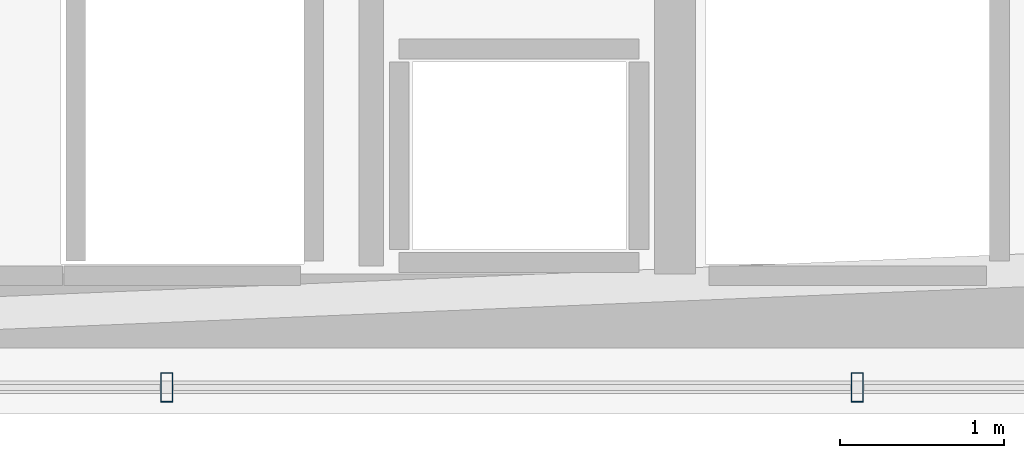
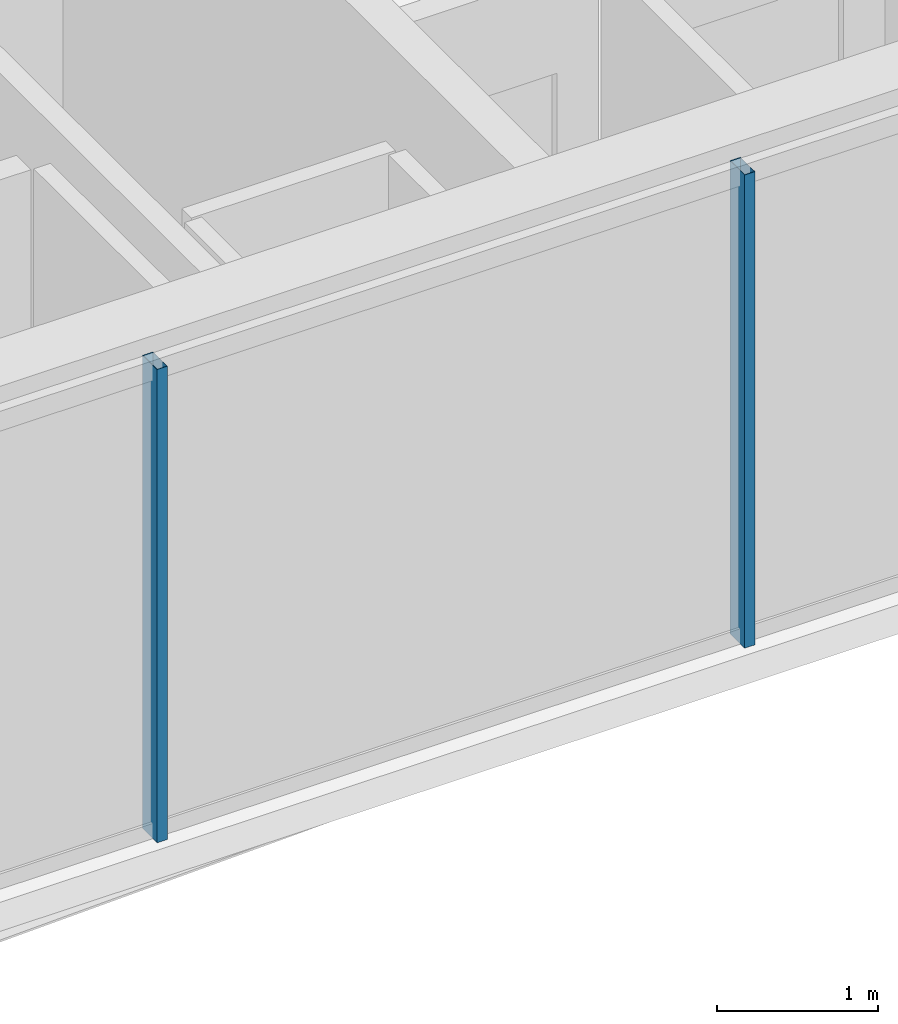
# One storey, part 9 of 31: 2 members, 1 element without a shape of its own.
"""IFC4 building model written with IfcOpenShell, lengths in metres."""

import ifcopenshell
import ifcopenshell.guid

model = None  # the IFC model being written
_history = None  # IfcOwnerHistory: only IFC2X3 demands one
_inside = {}  # id of a spatial element -> (the spatial element, [elements in it])
_under = {}  # id of a project, library or spatial element -> (it, [spatial elements below it])
_declared = {}  # id of a project -> (the project, [libraries it declares])
_typed = {}  # id of a type object -> (the type object, [elements of that type])
_made_of = {}  # id of a material, layer set ... -> (it, [elements and type objects made of it])


def new_model(schema):
    """Start an empty IFC model of exactly this schema.

    Asked for "IFC4X3", IfcOpenShell would pick the latest addendum, in which some entities
    have other attributes; the version numbers below select the first issue.
    IFC2X3 requires an IfcOwnerHistory on every rooted entity: one is made here for all.
    """
    global model, _history
    if schema == "IFC4X3":
        model = ifcopenshell.file(schema_version=(4, 3, 0, 0))
    else:
        model = ifcopenshell.file(schema=schema)
    _inside.clear()
    _under.clear()
    _declared.clear()
    _typed.clear()
    _made_of.clear()
    _history = None
    if model.schema == "IFC2X3":
        org = make("IfcOrganization", Name="unknown")
        user = make(
            "IfcPersonAndOrganization",
            ThePerson=make("IfcPerson", FamilyName="unknown"),
            TheOrganization=org,
        )
        app = make(
            "IfcApplication",
            ApplicationDeveloper=org,
            Version="unknown",
            ApplicationFullName="unknown",
            ApplicationIdentifier="unknown",
        )
        _history = make(
            "IfcOwnerHistory",
            OwningUser=user,
            OwningApplication=app,
            ChangeAction="ADDED",
            CreationDate=0,
        )
    return model


def make(cls, **values):
    """One entity of the class cls with the attributes given. An attribute that is None is left unset."""
    return model.create_entity(
        cls, **{name: value for name, value in values.items() if value is not None}
    )


def rooted(cls, **values):
    """An entity with a GlobalId (a new one), such as an element, a storey or a relation."""
    return make(cls, GlobalId=ifcopenshell.guid.new(), OwnerHistory=_history, **values)


def si_unit(unit_type, name, prefix=None):
    """IfcSIUnit, for example si_unit("LENGTHUNIT", "METRE", prefix="MILLI")."""
    return make("IfcSIUnit", UnitType=unit_type, Prefix=prefix, Name=name)


def assignment(units):
    """IfcUnitAssignment: the units of a project."""
    return None if units is None else make("IfcUnitAssignment", Units=units)


def point(xyz):
    """IfcCartesianPoint."""
    return None if xyz is None else make("IfcCartesianPoint", Coordinates=xyz)


def direction(xyz):
    """IfcDirection."""
    return None if xyz is None else make("IfcDirection", DirectionRatios=xyz)


def frame(location, z_axis=None, x_axis=None):
    """IfcAxis2Placement3D, a coordinate frame: its origin and axes. An axis left out is left unset."""
    return make(
        "IfcAxis2Placement3D",
        Location=point(location),
        Axis=direction(z_axis),
        RefDirection=direction(x_axis),
    )


def frame_2d(location, x_axis=None):
    """IfcAxis2Placement2D, a coordinate frame in the plane: its origin and x axis."""
    return make(
        "IfcAxis2Placement2D", Location=point(location), RefDirection=direction(x_axis)
    )


def origin():
    """The frame at (0, 0, 0) with its axes left unset."""
    return frame((0.0, 0.0, 0.0))


def origin_2d():
    """The frame at (0, 0) in the plane with its x axis left unset."""
    return frame_2d((0.0, 0.0))


def place(relative_to, where):
    """IfcLocalPlacement: puts the frame where relative to a parent placement (None: the world)."""
    return make(
        "IfcLocalPlacement", PlacementRelTo=relative_to, RelativePlacement=where
    )


def context(
    kind, dimensions, precision=None, world=None, true_north=None, identifier=None
):
    """IfcGeometricRepresentationContext, for example the 3D "Model" context."""
    return make(
        "IfcGeometricRepresentationContext",
        ContextIdentifier=identifier,
        ContextType=kind,
        CoordinateSpaceDimension=dimensions,
        Precision=precision,
        WorldCoordinateSystem=world,
        TrueNorth=true_north,
    )


def subcontext(parent, identifier, kind, view, scale=None):
    """IfcGeometricRepresentationSubContext, for example "Body" below "Model"."""
    return make(
        "IfcGeometricRepresentationSubContext",
        ContextIdentifier=identifier,
        ContextType=kind,
        ParentContext=parent,
        TargetScale=scale,
        TargetView=view,
    )


def project(units=None, contexts=None):
    """IfcProject with its units and contexts."""
    return rooted(
        "IfcProject",
        Name="project",
        RepresentationContexts=contexts,
        UnitsInContext=assignment(units),
    )


def spatial(cls, under=None, at=None, **own):
    """A site, building, storey or space (cls), placed at a placement, below another one or the project."""
    s = rooted(cls, ObjectPlacement=at, **own)
    if under is not None:
        _under.setdefault(under.id(), (under, []))[1].append(s)
    return s


def profile(cls, at=None, kind="AREA", **sizes):
    """A parametric profile (cls). Its sizes go by their IFC names, for example OverallWidth=200.0."""
    return make(cls, ProfileType=kind, Position=at, **sizes)


def hollow_rectangle(**sizes):
    """IfcRectangleHollowProfileDef."""
    return profile("IfcRectangleHollowProfileDef", **sizes)


def extrude(swept, where, along, depth):
    """IfcExtrudedAreaSolid: the profile swept, set in the frame where, extruded along a direction by depth."""
    return make(
        "IfcExtrudedAreaSolid",
        SweptArea=swept,
        Position=where,
        ExtrudedDirection=direction(along),
        Depth=depth,
    )


def shape(context_of_items, identifier, shape_type, items):
    """IfcShapeRepresentation: the items that make up one representation, for example the "Body"."""
    return make(
        "IfcShapeRepresentation",
        ContextOfItems=context_of_items,
        RepresentationIdentifier=identifier,
        RepresentationType=shape_type,
        Items=items,
    )


def material(Name=None, Category=None):
    """IfcMaterial."""
    return make("IfcMaterial", Name=Name, Category=Category)


def layer(
    of_material, thickness, ventilated=None, Name=None, Category=None, Priority=None
):
    """IfcMaterialLayer: one layer of a wall or slab, of a material (None: an air gap)."""
    return make(
        "IfcMaterialLayer",
        Material=of_material,
        LayerThickness=thickness,
        IsVentilated=ventilated,
        Name=Name,
        Category=Category,
        Priority=Priority,
    )


def layer_set(layers, Name=None):
    """IfcMaterialLayerSet."""
    return make("IfcMaterialLayerSet", MaterialLayers=layers, LayerSetName=Name)


def material_profile(
    of_material, cross_section, Name=None, Category=None, Priority=None
):
    """IfcMaterialProfile: a cross section and its material."""
    return make(
        "IfcMaterialProfile",
        Name=Name,
        Material=of_material,
        Profile=cross_section,
        Priority=Priority,
        Category=Category,
    )


def profile_set(profiles, Name=None, composite=None):
    """IfcMaterialProfileSet."""
    return make(
        "IfcMaterialProfileSet",
        Name=Name,
        MaterialProfiles=profiles,
        CompositeProfile=composite,
    )


def made_of(thing, what):
    """Note that an element or type object is made of a material, layer set ...; save() writes the relation."""
    if what is not None:
        _made_of.setdefault(what.id(), (what, []))[1].append(thing)
    return thing


def type_object(cls, material=None, **own):
    """A type object (cls), such as IfcWallType, which elements share."""
    return made_of(rooted(cls, **own), material)


def element(
    cls,
    number,
    at=None,
    inside=None,
    cuts=None,
    type_object=None,
    material=None,
    context=None,
    identifier="Body",
    shape_type=None,
    held_by="IfcProductDefinitionShape",
    body=None,
    shapes=None,
    **own,
):
    """One element of the class cls, such as IfcWall. Its Tag is "e" and its number.

    at: its placement. inside: the storey or other place that contains it. cuts: it is an
    opening in that element (IfcRelVoidsElement). A single representation is given by context,
    identifier, shape_type and body (its items); several are given by shapes. held_by: the class
    of the entity that holds the representations. save() writes the other relations.
    """
    e = rooted(cls, Tag="e%d" % number, ObjectPlacement=at, **own)
    if body is not None:
        shapes = [shape(context, identifier, shape_type, body)]
    if shapes is not None:
        e.Representation = make(held_by, Representations=shapes)
    if inside is not None:
        _inside.setdefault(inside.id(), (inside, []))[1].append(e)
    if cuts is not None:
        rooted(
            "IfcRelVoidsElement", RelatingBuildingElement=cuts, RelatedOpeningElement=e
        )
    if type_object is not None:
        _typed.setdefault(type_object.id(), (type_object, []))[1].append(e)
    return made_of(e, material)


def aggregate(whole, parts):
    """IfcRelAggregates: a whole, such as a stair, and the parts it consists of."""
    return rooted("IfcRelAggregates", RelatingObject=whole, RelatedObjects=parts)


def save(model, path):
    """Write the relations noted so far, then the file.

    IfcRelAggregates (storeys below a building ...), IfcRelContainedInSpatialStructure (elements
    in a storey), IfcRelDefinesByType, IfcRelAssociatesMaterial and IfcRelDeclares: one each for
    every whole, place, type object, material and project.
    """
    for whole, parts in _under.values():
        aggregate(whole, parts)
    for where, things in _inside.values():
        rooted(
            "IfcRelContainedInSpatialStructure",
            RelatedElements=things,
            RelatingStructure=where,
        )
    for kind, things in _typed.values():
        rooted("IfcRelDefinesByType", RelatedObjects=things, RelatingType=kind)
    for what, things in _made_of.values():
        rooted("IfcRelAssociatesMaterial", RelatedObjects=things, RelatingMaterial=what)
    for by, libraries in _declared.values():
        rooted("IfcRelDeclares", RelatingContext=by, RelatedDefinitions=libraries)
    model.write(path)


model = new_model("IFC4")

# Units and contexts
model_context = context("Model", 3, precision=1e-05, world=origin(), true_north=direction((0.0, 1.0)))
body_context = subcontext(model_context, "Body", "Model", "MODEL_VIEW")
ifc_project = project(units=[si_unit("LENGTHUNIT", "METRE"), si_unit("AREAUNIT", "SQUARE_METRE"), si_unit("VOLUMEUNIT", "CUBIC_METRE"), si_unit("PLANEANGLEUNIT", "RADIAN"), si_unit("MASSUNIT", "GRAM", prefix="KILO")], contexts=[model_context])

# Site, building, storey
site_placement = place(None, origin())
site = spatial("IfcSite", under=ifc_project, at=site_placement, CompositionType="ELEMENT")
building_placement = place(site_placement, origin())
building = spatial("IfcBuilding", under=site, at=building_placement, Name="Ndaravel Arena Tower", CompositionType="ELEMENT")
storey_placement = place(building_placement, frame((0.0, 0.0, 104.39990234375)))
storey = spatial("IfcBuildingStorey", under=building, at=storey_placement, Name="L24", CompositionType="ELEMENT", Elevation=104.39990234375)

# Curtain wall, members
ifc_material_1 = material(Name="Aluminium", Category="aluminium")
ifc_layer = layer(ifc_material_1, 0.179931640625)
ifc_layer_set = layer_set([ifc_layer], Name="Aluminium")
curtain_wall_type = type_object("IfcCurtainWallType", Name="CW-SYS-03", PredefinedType="NOTDEFINED", material=ifc_layer_set)
curtain_wall_placement = place(storey_placement, origin())
curtain_wall = element("IfcCurtainWall", 1, at=curtain_wall_placement, inside=storey, type_object=curtain_wall_type, Name="L24 Faceted Crystal Curtain Wall CW-L24-E01", PredefinedType="NOTDEFINED")
ifc_material_2 = material(Name="Aluminium", Category="aluminium")
ifc_material_profile = material_profile(ifc_material_2, hollow_rectangle(XDim=0.074951171875, YDim=0.179931640625, WallThickness=0.00390625, at=origin_2d()), Name="CW MULLION 75x180x4")
ifc_profile_set = profile_set([ifc_material_profile], Name="Aluminium")
member_type = type_object("IfcMemberType", Name="MEM-CW-MUL180", PredefinedType="MULLION", material=ifc_profile_set)
member_1_placement = place(storey_placement, frame((46.20458984375, 5.159912109375, 0.0), z_axis=(0.0, 0.0, 1.0), x_axis=(1.0, 0.0, 0.0)))
member_1 = element("IfcMember", 2, at=member_1_placement, type_object=member_type, Name="CW-L24-E01 Mullion 05", PredefinedType="MULLION", context=body_context, shape_type="SweptSolid", body=[
    extrude(hollow_rectangle(XDim=0.074951171875, YDim=0.179931640625, WallThickness=0.00390625, at=origin_2d()), origin(), (0.0, 0.0, 1.0), 3.580078125),
])
member_2_placement = place(storey_placement, frame((50.408935546875, 5.159912109375, 0.0), z_axis=(0.0, 0.0, 1.0), x_axis=(1.0, 0.0, 0.0)))
member_2 = element("IfcMember", 3, at=member_2_placement, type_object=member_type, Name="CW-L24-E01 Mullion 06", PredefinedType="MULLION", context=body_context, shape_type="SweptSolid", body=[
    extrude(hollow_rectangle(XDim=0.074951171875, YDim=0.179931640625, WallThickness=0.00390625, at=origin_2d()), origin(), (0.0, 0.0, 1.0), 3.580078125),
])
aggregate(curtain_wall, [member_1, member_2])

save(model, "model.ifc")
